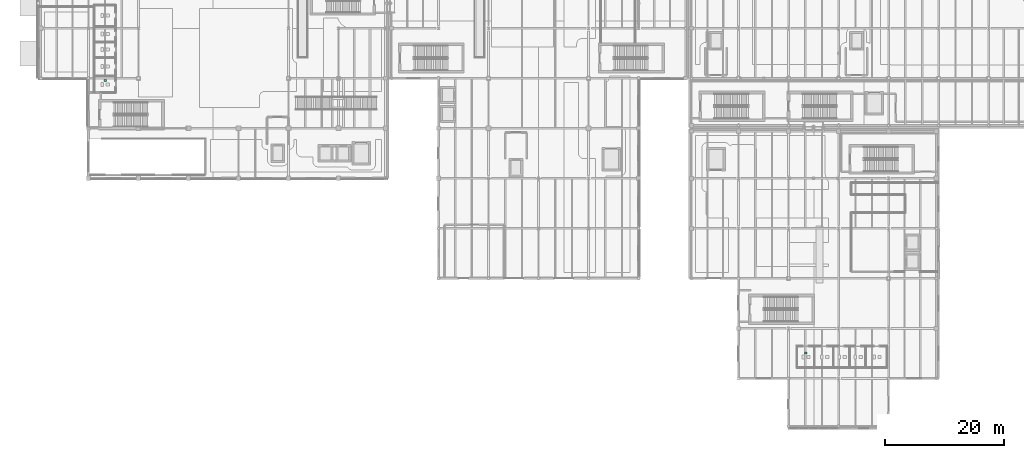
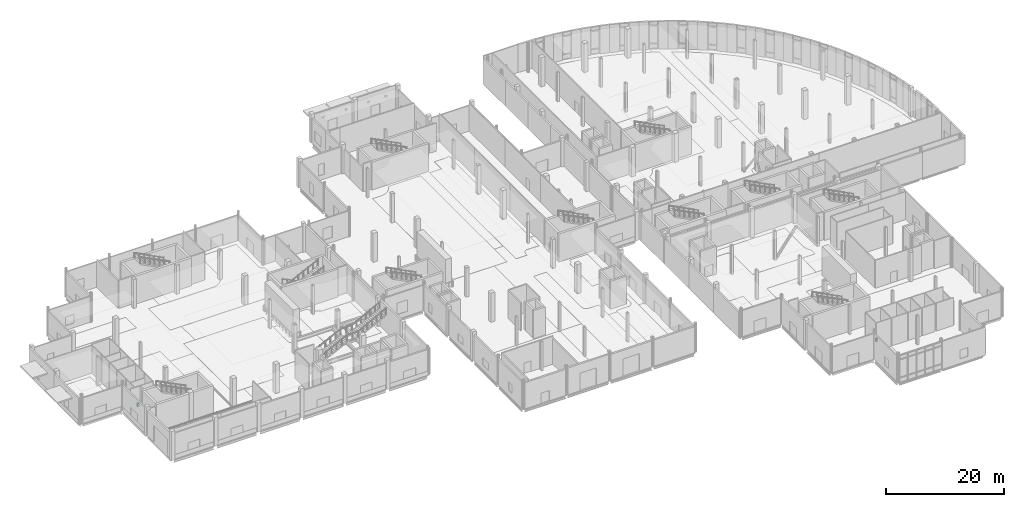
# One storey, part 84 of 85: 2 sanitary terminals.
"""IFC4 building model written with IfcOpenShell, lengths in metres."""

from ifc_helpers import new_model, si_unit, direction, frame, origin, origin_2d, place, context, subcontext, project, spatial, rectangle, extrude, material, type_object, element, save


model = new_model("IFC4")

# Units and contexts
model_context = context("Model", 3, precision=1e-05, world=origin(), true_north=direction((0.0, 1.0)))
body_context = subcontext(model_context, "Body", "Model", "MODEL_VIEW")
ifc_project = project(units=[si_unit("LENGTHUNIT", "METRE"), si_unit("AREAUNIT", "SQUARE_METRE"), si_unit("VOLUMEUNIT", "CUBIC_METRE"), si_unit("PLANEANGLEUNIT", "RADIAN"), si_unit("MASSUNIT", "GRAM", prefix="KILO"), si_unit("THERMODYNAMICTEMPERATUREUNIT", "KELVIN")], contexts=[model_context])

# Site, building, storey
site_placement = place(None, origin())
site = spatial("IfcSite", under=ifc_project, at=site_placement, CompositionType="ELEMENT")
building_placement = place(site_placement, origin())
building = spatial("IfcBuilding", under=site, at=building_placement, Name="Lustrewick Department Store", CompositionType="ELEMENT")
storey_placement = place(building_placement, origin())
storey = spatial("IfcBuildingStorey", under=building, at=storey_placement, Name="L01", CompositionType="ELEMENT", Elevation=0.0)

# Sanitary terminals
ifc_material = material(Name="Glazed white vitreous china sanitaryware", Category="masonry")
sanitary_terminal_type = type_object("IfcSanitaryTerminalType", Name="SAN-URI", PredefinedType="URINAL", material=ifc_material)
for number, where, z_axis, x_axis, name in (
    (1, (11.199951171875, 58.425048828125, 0.0), (0.0, 0.0, 1.0), (1.0, 0.0, 0.0), "L01 Male Public WC Urinal"),
    (2, (128.8701171875, 12.64990234375, 0.0), (0.0, 0.0, 1.0), (1.0, 0.0, 0.0), "L01 Male Public WC Urinal"),
):
    element("IfcSanitaryTerminal", number, at=place(storey_placement, frame(where, z_axis=z_axis, x_axis=x_axis)), inside=storey, type_object=sanitary_terminal_type, Name=name, PredefinedType="URINAL", context=body_context, shape_type="SweptSolid", body=[
        extrude(rectangle(XDim=0.3798828125, YDim=0.360107421875, at=origin_2d()), origin(), (0.0, 0.0, 1.0), 0.679931640625),
    ])

save(model, "model.ifc")
